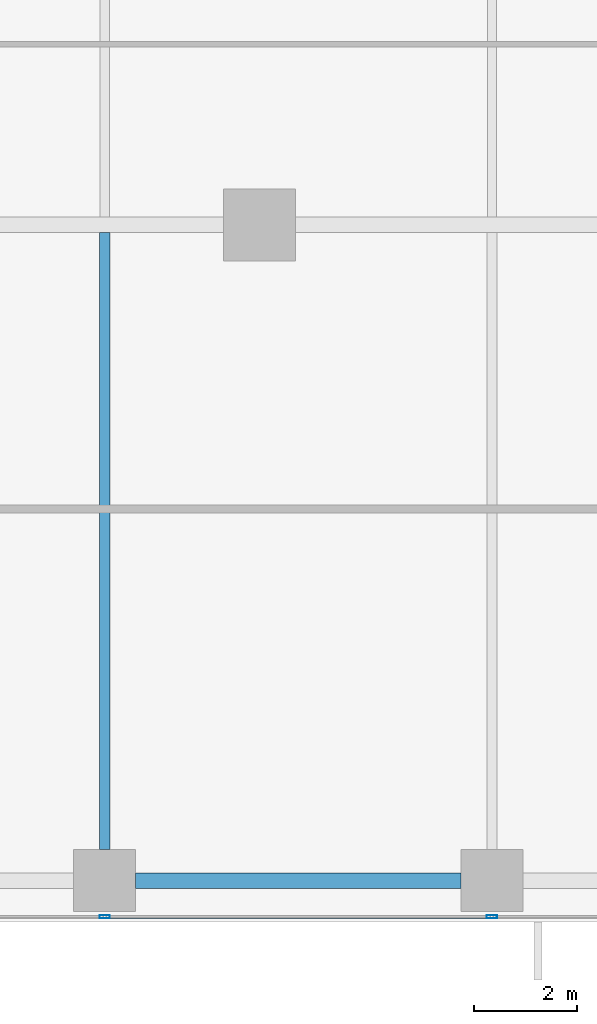
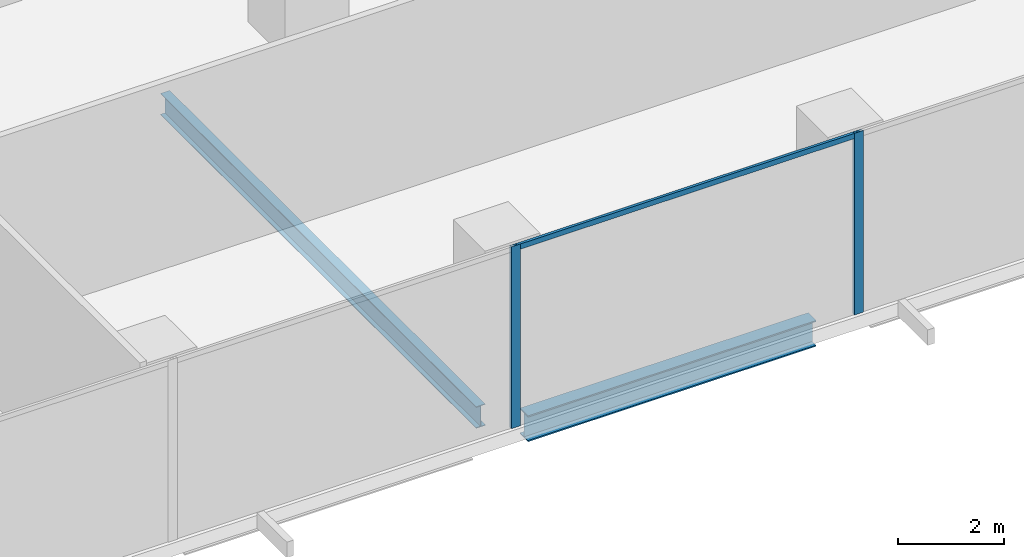
# One storey, part 7 of 32: 3 members, 2 beams, 1 element without a shape of its own.
"""IFC4 building model written with IfcOpenShell, lengths in metres."""

from ifc_helpers import new_model, si_unit, direction, frame, origin, origin_2d, place, context, subcontext, project, spatial, hollow_rectangle, i_section, extrude, source, transform, mapped, material, material_profile, profile_set, type_object, element, aggregate, save


model = new_model("IFC4")

# Units and contexts
model_context = context("Model", 3, precision=1e-05, world=origin(), true_north=direction((0.0, 1.0)))
body_context = subcontext(model_context, "Body", "Model", "MODEL_VIEW")
ifc_project = project(units=[si_unit("LENGTHUNIT", "METRE"), si_unit("AREAUNIT", "SQUARE_METRE"), si_unit("VOLUMEUNIT", "CUBIC_METRE"), si_unit("PLANEANGLEUNIT", "RADIAN"), si_unit("MASSUNIT", "GRAM", prefix="KILO")], contexts=[model_context])

# Site, building, storey
site_placement = place(None, origin())
site = spatial("IfcSite", under=ifc_project, at=site_placement, CompositionType="ELEMENT")
building_placement = place(site_placement, origin())
building = spatial("IfcBuilding", under=site, at=building_placement, Name="Khomas Fold Tower", CompositionType="ELEMENT")
storey_placement = place(building_placement, frame((0.0, 0.0, 37.5)))
storey = spatial("IfcBuildingStorey", under=building, at=storey_placement, Name="L07", CompositionType="ELEMENT", Elevation=37.5)

# Beams
ifc_material_1 = material(Name="Steel S355", Category="steel")
ifc_material_profile_1 = material_profile(ifc_material_1, i_section(OverallWidth=0.300048828125, OverallDepth=0.60009765625, WebThickness=0.015380859375, FlangeThickness=0.030029296875, at=origin_2d()), Name="HE 600 B")
ifc_profile_set_1 = profile_set([ifc_material_profile_1], Name="Steel S355")
beam_type_1 = type_object("IfcBeamType", Name="HE 600 B spandrel SB1", PredefinedType="SPANDREL", material=ifc_profile_set_1)
shared_shape_1 = source(origin(), body_context, "Body", "SweptSolid", [
    extrude(i_section(OverallWidth=0.300048828125, OverallDepth=0.60009765625, WebThickness=0.015380859375, FlangeThickness=0.030029296875, at=origin_2d()), origin(), (0.0, 0.0, 1.0), 6.2998046875),
])
beam_1_placement = place(storey_placement, frame((35.10009765625, 0.800048828125, -0.60009765625), z_axis=(1.0, 0.0, 0.0), x_axis=(0.0, 1.0, 0.0)))
element("IfcBeam", 1, at=beam_1_placement, inside=storey, type_object=beam_type_1, Name="SB1", PredefinedType="SPANDREL", context=body_context, shape_type="MappedRepresentation", body=[
    mapped(shared_shape_1, transform((0.0, 0.0, 0.0))),
])
ifc_material_2 = material(Name="Steel S355", Category="steel")
ifc_material_profile_2 = material_profile(ifc_material_2, i_section(OverallWidth=0.199951171875, OverallDepth=0.5, WebThickness=0.01025390625, FlangeThickness=0.01611328125, at=origin_2d()), Name="IPE 500")
ifc_profile_set_2 = profile_set([ifc_material_profile_2], Name="Steel S355")
beam_type_2 = type_object("IfcBeamType", Name="IPE 500 beam JB5", PredefinedType="BEAM", material=ifc_profile_set_2)
shared_shape_2 = source(origin(), body_context, "Body", "SweptSolid", [
    extrude(i_section(OverallWidth=0.199951171875, OverallDepth=0.5, WebThickness=0.01025390625, FlangeThickness=0.01611328125, at=origin_2d()), origin(), (0.0, 0.0, 1.0), 11.9501953125),
])
beam_2_placement = place(storey_placement, frame((34.5, 1.39990234375, -0.550048828125), z_axis=(0.0, 1.0, 0.0), x_axis=(-1.0, 0.0, 0.0)))
element("IfcBeam", 2, at=beam_2_placement, inside=storey, type_object=beam_type_2, Name="JB5", PredefinedType="BEAM", context=body_context, shape_type="MappedRepresentation", body=[
    mapped(shared_shape_2, transform((0.0, 0.0, 0.0))),
])

# Curtain wall, members
ifc_material_3 = material(Name="Aluminium framed double glazing", Category="aluminium")
curtain_wall_type = type_object("IfcCurtainWallType", Name="SK-Unitised clear-glass wall, growing floors CW1", PredefinedType="NOTDEFINED", material=ifc_material_3)
curtain_wall_placement = place(storey_placement, origin())
curtain_wall = element("IfcCurtainWall", 3, at=curtain_wall_placement, inside=storey, type_object=curtain_wall_type, Name="CW1 run L07 00-0", PredefinedType="NOTDEFINED")
ifc_material_4 = material(Name="Aluminium", Category="aluminium")
ifc_material_profile_3 = material_profile(ifc_material_4, hollow_rectangle(XDim=0.06005859375, YDim=0.1201171875, WallThickness=0.00390625, at=origin_2d()), Name="SK-Unitised clear-glass wall, growing floors transom CW1-T")
ifc_profile_set_3 = profile_set([ifc_material_profile_3], Name="Aluminium")
member_type_1 = type_object("IfcMemberType", Name="SK-Unitised clear-glass wall, growing floors transom CW1-T", PredefinedType="USERDEFINED", material=ifc_profile_set_3)
shared_shape_3 = source(origin(), body_context, "Body", "SweptSolid", [
    extrude(hollow_rectangle(XDim=0.06005859375, YDim=0.1201171875, WallThickness=0.00390625, at=origin_2d()), origin(), (0.0, 0.0, 1.0), 7.43994140625),
])
member_1_placement = place(storey_placement, frame((34.530029296875, 0.10009765625, 4.139892578125), z_axis=(1.0, 0.0, 0.0), x_axis=(0.0, 1.0, 0.0)))
member_1 = element("IfcMember", 4, at=member_1_placement, type_object=member_type_1, Name="CW1 transom 6", ObjectType="TRANSOM", PredefinedType="USERDEFINED", context=body_context, shape_type="MappedRepresentation", body=[
    mapped(shared_shape_3, transform((0.0, 0.0, 0.0))),
])
ifc_material_5 = material(Name="Aluminium", Category="aluminium")
ifc_material_profile_4 = material_profile(ifc_material_5, hollow_rectangle(XDim=0.06005859375, YDim=0.199951171875, WallThickness=0.00390625, at=origin_2d()), Name="SK-Unitised clear-glass wall, growing floors mullion CW1-M")
ifc_profile_set_4 = profile_set([ifc_material_profile_4], Name="Aluminium")
member_type_2 = type_object("IfcMemberType", Name="SK-Unitised clear-glass wall, growing floors mullion CW1-M", PredefinedType="MULLION", material=ifc_profile_set_4)
shared_shape_4 = source(origin(), body_context, "Body", "SweptSolid", [
    extrude(hollow_rectangle(XDim=0.06005859375, YDim=0.199951171875, WallThickness=0.00390625, at=origin_2d()), origin(), (0.0, 0.0, 1.0), 4.199951171875),
])
member_2_placement = place(storey_placement, frame((34.5, 0.10009765625, 0.0), z_axis=(0.0, 0.0, 1.0), x_axis=(0.0, 1.0, 0.0)))
member_2 = element("IfcMember", 5, at=member_2_placement, type_object=member_type_2, Name="CW1 mullion 6", PredefinedType="MULLION", context=body_context, shape_type="MappedRepresentation", body=[
    mapped(shared_shape_4, transform((0.0, 0.0, 0.0))),
])
member_3_placement = place(storey_placement, frame((42.0, 0.10009765625, 0.0), z_axis=(0.0, 0.0, 1.0), x_axis=(0.0, 1.0, 0.0)))
member_3 = element("IfcMember", 6, at=member_3_placement, type_object=member_type_2, Name="CW1 mullion 7", PredefinedType="MULLION", context=body_context, shape_type="MappedRepresentation", body=[
    mapped(shared_shape_4, transform((0.0, 0.0, 0.0))),
])
aggregate(curtain_wall, [member_2, member_3, member_1])

save(model, "model.ifc")
